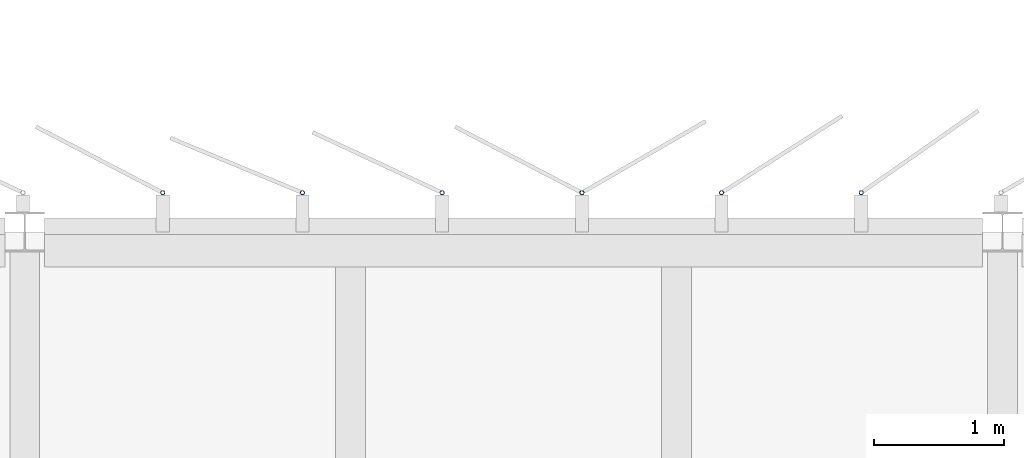
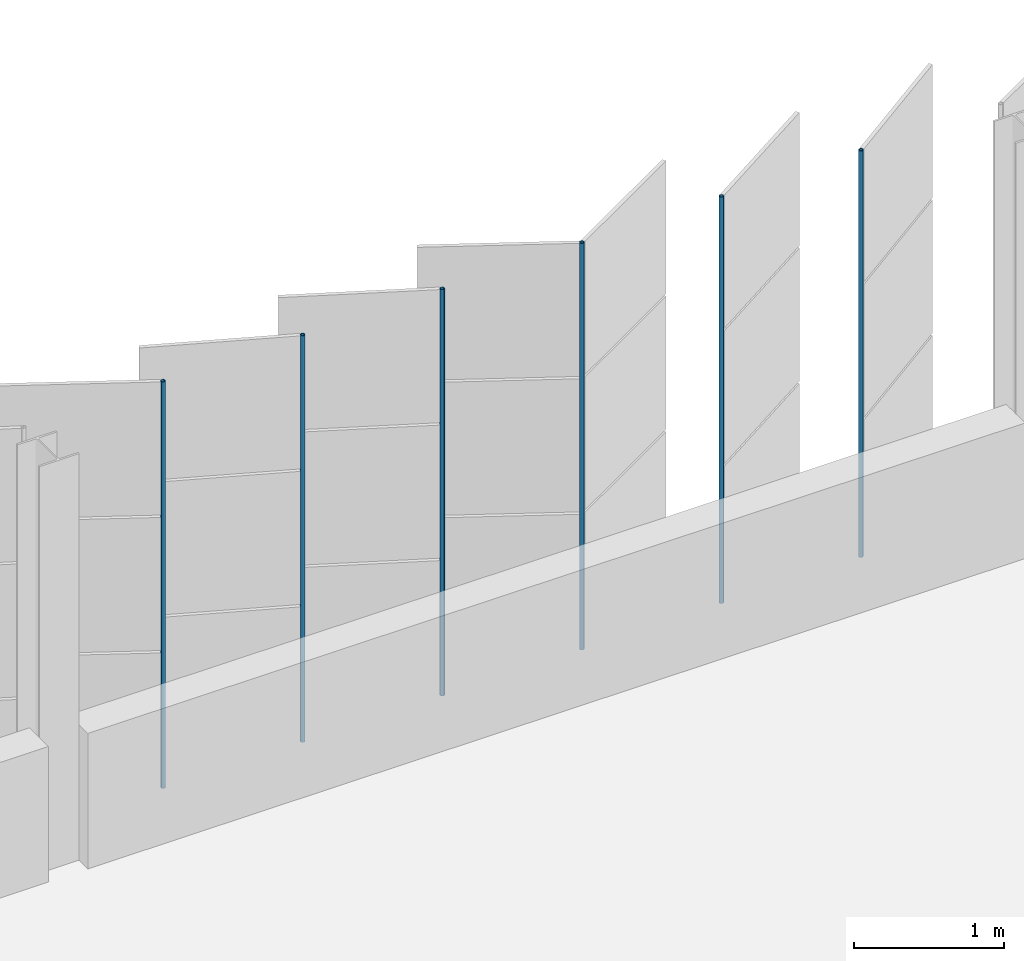
# One storey, part 138 of 199: 6 discrete accessories.
"""IFC4 building model written with IfcOpenShell, lengths in metres."""

from ifc_helpers import new_model, si_unit, direction, frame, origin, origin_2d, place, context, subcontext, project, spatial, hollow_circle, extrude, material, material_profile, profile_set, type_object, element, save


model = new_model("IFC4")

# Units and contexts
model_context = context("Model", 3, precision=1e-05, world=origin(), true_north=direction((0.0, 1.0)))
body_context = subcontext(model_context, "Body", "Model", "MODEL_VIEW")
ifc_project = project(units=[si_unit("LENGTHUNIT", "METRE"), si_unit("AREAUNIT", "SQUARE_METRE"), si_unit("VOLUMEUNIT", "CUBIC_METRE"), si_unit("PLANEANGLEUNIT", "RADIAN"), si_unit("MASSUNIT", "GRAM", prefix="KILO")], contexts=[model_context])

# Site, building, storey
site_placement = place(None, origin())
site = spatial("IfcSite", under=ifc_project, at=site_placement, CompositionType="ELEMENT")
building_placement = place(site_placement, origin())
building = spatial("IfcBuilding", under=site, at=building_placement, Name="Parallax Yard Mobility Hub", CompositionType="ELEMENT")
storey_placement = place(building_placement, frame((0.0, 0.0, 9.89990234375)))
storey = spatial("IfcBuildingStorey", under=building, at=storey_placement, Name="L03", CompositionType="ELEMENT", Elevation=9.89990234375)

# Discrete accessories
ifc_material = material(Name="Steel ASTM A500 Gr C, hot-dip galvanised", Category="steel")
ifc_material_profile = material_profile(ifc_material, hollow_circle(Radius=0.016845703125, WallThickness=0.003173828125, at=origin_2d()), Name="CHS 33.7x3.2")
ifc_profile_set = profile_set([ifc_material_profile], Name="Steel ASTM A500 Gr C, hot-dip galvanised")
discrete_accessory_type = type_object("IfcDiscreteAccessoryType", Name="Hinge post CHS 33.7x3.2", PredefinedType="BRACKET", material=ifc_profile_set)
for number, where, z_axis, x_axis, name in (
    (1, (58.9169921875, 142.800048828125, 0.0), (0.0, 0.0, 1.0), (1.0, 0.0, 0.0), "Hinge post bay 66.2 level L03"),
    (2, (57.845458984375, 142.800048828125, 0.0), (0.0, 0.0, 1.0), (1.0, 0.0, 0.0), "Hinge post bay 66.3 level L03"),
    (3, (56.77392578125, 142.800048828125, 0.0), (0.0, 0.0, 1.0), (1.0, 0.0, 0.0), "Hinge post bay 66.4 level L03"),
    (4, (55.702392578125, 142.800048828125, 0.0), (0.0, 0.0, 1.0), (1.0, 0.0, 0.0), "Hinge post bay 66.5 level L03"),
    (5, (54.630859375, 142.800048828125, 0.0), (0.0, 0.0, 1.0), (1.0, 0.0, 0.0), "Hinge post bay 66.6 level L03"),
    (6, (53.55908203125, 142.800048828125, 0.0), (0.0, 0.0, 1.0), (1.0, 0.0, 0.0), "Hinge post bay 66.7 level L03"),
):
    element("IfcDiscreteAccessory", number, at=place(storey_placement, frame(where, z_axis=z_axis, x_axis=x_axis)), inside=storey, type_object=discrete_accessory_type, Name=name, PredefinedType="BRACKET", context=body_context, shape_type="SweptSolid", body=[
        extrude(hollow_circle(Radius=0.016845703125, WallThickness=0.003173828125, at=origin_2d()), origin(), (0.0, 0.0, 1.0), 3.300048828125),
    ])

save(model, "model.ifc")
